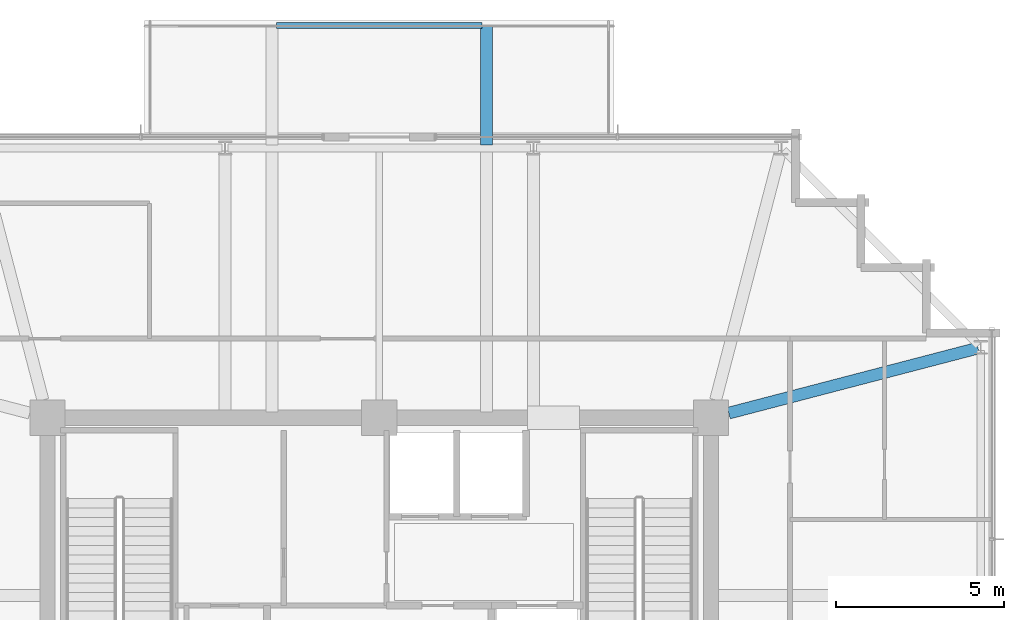
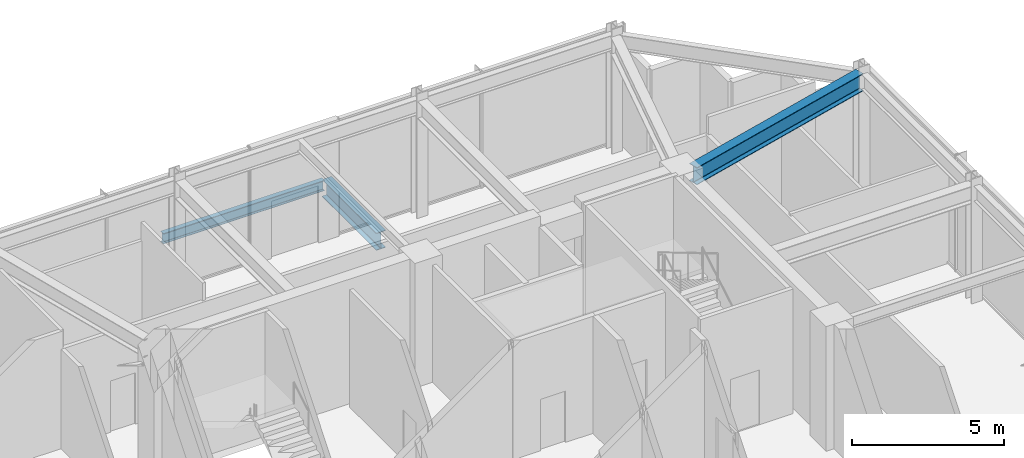
# One storey, part 19 of 31: 3 beams.
"""IFC4 building model written with IfcOpenShell, lengths in metres."""

from ifc_helpers import new_model, si_unit, direction, frame, origin, origin_2d, place, context, subcontext, project, spatial, i_section, extrude, material, material_profile, profile_set, type_object, element, save


model = new_model("IFC4")

# Units and contexts
model_context = context("Model", 3, precision=1e-05, world=origin(), true_north=direction((0.0, 1.0)))
body_context = subcontext(model_context, "Body", "Model", "MODEL_VIEW")
ifc_project = project(units=[si_unit("LENGTHUNIT", "METRE"), si_unit("AREAUNIT", "SQUARE_METRE"), si_unit("VOLUMEUNIT", "CUBIC_METRE"), si_unit("PLANEANGLEUNIT", "RADIAN"), si_unit("MASSUNIT", "GRAM", prefix="KILO")], contexts=[model_context])

# Site, building, storey
site_placement = place(None, origin())
site = spatial("IfcSite", under=ifc_project, at=site_placement, CompositionType="ELEMENT")
building_placement = place(site_placement, origin())
building = spatial("IfcBuilding", under=site, at=building_placement, Name="Kolvaren Belvedere", CompositionType="ELEMENT")
storey_placement = place(building_placement, frame((0.0, 0.0, 267.39990234375)))
storey = spatial("IfcBuildingStorey", under=building, at=storey_placement, Name="L77", CompositionType="ELEMENT", Elevation=267.39990234375)

# Beams
ifc_material_1 = material(Name="Structural steel ASTM A992 Grade 50", Category="steel")
ifc_material_profile_1 = material_profile(ifc_material_1, i_section(OverallWidth=0.35498046875, OverallDepth=0.696044921875, WebThickness=0.015380859375, FlangeThickness=0.02490234375, FilletRadius=0.02197265625, at=origin_2d()), Name="W27X146")
ifc_profile_set_1 = profile_set([ifc_material_profile_1], Name="Structural steel ASTM A992 Grade 50")
beam_type_1 = type_object("IfcBeamType", Name="BM-CANT-BAL", PredefinedType="BEAM", material=ifc_profile_set_1)
beam_1_placement = place(storey_placement, frame((3.199951171875, 18.044921875, -0.6279296875), z_axis=(0.0, 1.0, 0.0), x_axis=(-1.0, 0.0, 0.0)))
element("IfcBeam", 1, at=beam_1_placement, inside=storey, type_object=beam_type_1, Name="L77 Planted Balcony Cantilever LOOKOUT-N-2", PredefinedType="BEAM", context=body_context, shape_type="SweptSolid", body=[
    extrude(i_section(OverallWidth=0.35498046875, OverallDepth=0.696044921875, WebThickness=0.015380859375, FlangeThickness=0.02490234375, FilletRadius=0.02197265625, at=origin_2d()), origin(), (0.0, 0.0, 1.0), 3.565185546875),
])
ifc_material_2 = material(Name="Structural steel ASTM A992 Grade 50", Category="steel")
ifc_material_profile_2 = material_profile(ifc_material_2, i_section(OverallWidth=0.180908203125, OverallDepth=0.4169921875, WebThickness=0.010986328125, FlangeThickness=0.018310546875, FilletRadius=0.013916015625, at=origin_2d()), Name="W16X57")
ifc_profile_set_2 = profile_set([ifc_material_profile_2], Name="Structural steel ASTM A992 Grade 50")
beam_type_2 = type_object("IfcBeamType", Name="BM-EDGE-W16X57", PredefinedType="BEAM", material=ifc_profile_set_2)
beam_2_placement = place(storey_placement, frame((-3.06005859375, 21.610107421875, -0.48828125), z_axis=(1.0, 0.0, 0.0), x_axis=(0.0, 1.0, 0.0)))
element("IfcBeam", 2, at=beam_2_placement, inside=storey, type_object=beam_type_2, Name="L77 Balcony Tip Header Beam LOOKOUT-N", PredefinedType="BEAM", context=body_context, shape_type="SweptSolid", body=[
    extrude(i_section(OverallWidth=0.180908203125, OverallDepth=0.4169921875, WebThickness=0.010986328125, FlangeThickness=0.018310546875, FilletRadius=0.013916015625, at=origin_2d()), origin(), (0.0, 0.0, 1.0), 6.1201171875),
])
ifc_material_3 = material(Name="Structural steel ASTM A992 Grade 50", Category="steel")
ifc_material_profile_3 = material_profile(ifc_material_3, i_section(OverallWidth=0.35498046875, OverallDepth=0.696044921875, WebThickness=0.015380859375, FlangeThickness=0.02490234375, FilletRadius=0.02197265625, at=origin_2d()), Name="W27X146")
ifc_profile_set_3 = profile_set([ifc_material_profile_3], Name="Structural steel ASTM A992 Grade 50")
beam_type_3 = type_object("IfcBeamType", Name="BM-GIRD-W27X146", PredefinedType="BEAM", material=ifc_profile_set_3)
beam_3_placement = place(storey_placement, frame((10.43212890625, 10.038818359375, 4.35205078125), z_axis=(0.967614911708, 0.252430946281, 0.0), x_axis=(-0.252430946281, 0.967614911708, 0.0)))
element("IfcBeam", 3, at=beam_3_placement, inside=storey, type_object=beam_type_3, Name="L77 Corner Core-to-Perimeter Girder CC3-E4", PredefinedType="BEAM", context=body_context, shape_type="SweptSolid", body=[
    extrude(i_section(OverallWidth=0.35498046875, OverallDepth=0.696044921875, WebThickness=0.015380859375, FlangeThickness=0.02490234375, FilletRadius=0.02197265625, at=origin_2d()), origin(), (0.0, 0.0, 1.0), 7.68798828125),
])

save(model, "model.ifc")
